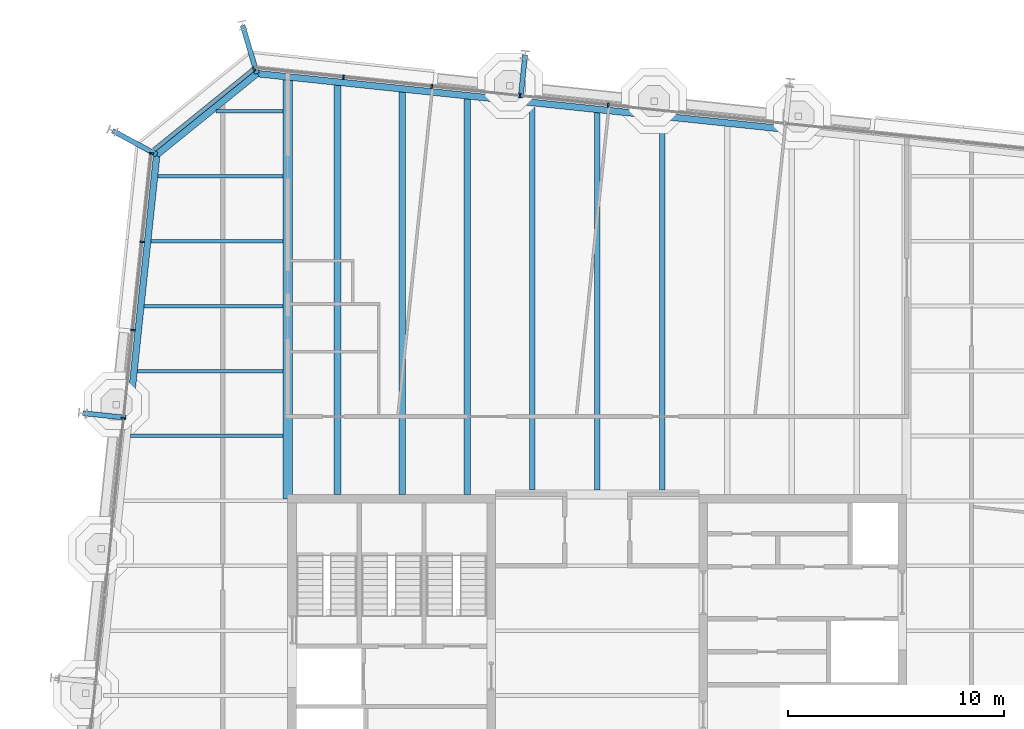
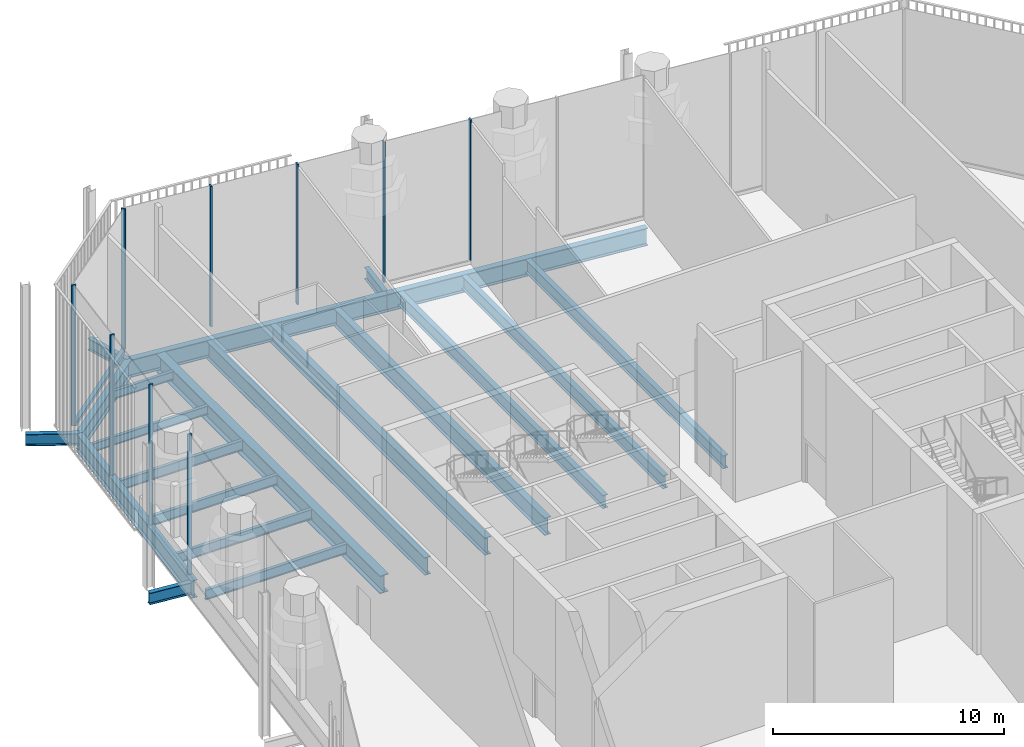
# One storey, part 6 of 17: 21 beams, 10 members, 3 elements without a shape of their own.
"""IFC4 building model written with IfcOpenShell, lengths in metres."""

from ifc_helpers import new_model, si_unit, direction, frame, origin, origin_2d, place, context, subcontext, project, spatial, rectangle, i_section, extrude, material, layer, layer_set, material_profile, profile_set, type_object, element, aggregate, save


model = new_model("IFC4")

# Units and contexts
model_context = context("Model", 3, precision=1e-05, world=origin(), true_north=direction((0.0, 1.0)))
body_context = subcontext(model_context, "Body", "Model", "MODEL_VIEW")
ifc_project = project(units=[si_unit("LENGTHUNIT", "METRE"), si_unit("AREAUNIT", "SQUARE_METRE"), si_unit("VOLUMEUNIT", "CUBIC_METRE"), si_unit("PLANEANGLEUNIT", "RADIAN"), si_unit("MASSUNIT", "GRAM", prefix="KILO")], contexts=[model_context])

# Site, building, storey
site_placement = place(None, origin())
site = spatial("IfcSite", under=ifc_project, at=site_placement, CompositionType="ELEMENT")
building_placement = place(site_placement, origin())
building = spatial("IfcBuilding", under=site, at=building_placement, Name="Millrace Tower", CompositionType="ELEMENT")
storey_placement = place(building_placement, frame((0.0, 0.0, 311.10009765625)))
storey = spatial("IfcBuildingStorey", under=building, at=storey_placement, Name="L72", CompositionType="ELEMENT", Elevation=311.10009765625)

# Curtain wall, members
ifc_material_1 = material(Name="Aluminium and glass", Category="aluminium")
ifc_layer = layer(ifc_material_1, 0.199951171875)
ifc_layer_set = layer_set([ifc_layer], Name="Aluminium and glass")
curtain_wall_type = type_object("IfcCurtainWallType", Name="CW-4 sky garden winter glazing", PredefinedType="NOTDEFINED", material=ifc_layer_set)
placement = place(storey_placement, origin())
curtain_wall_1 = element("IfcCurtainWall", 1, at=placement, inside=storey, type_object=curtain_wall_type, Name="Curtain wall E-F06 L72", PredefinedType="NOTDEFINED")
ifc_material_2 = material(Name="Aluminium", Category="aluminium")
ifc_material_profile_1 = material_profile(ifc_material_2, rectangle(XDim=0.080078125, YDim=0.199951171875, at=origin_2d()))
ifc_profile_set_1 = profile_set([ifc_material_profile_1], Name="Aluminium")
member_type_1 = type_object("IfcMemberType", Name="CW-4 sky garden winter glazing mullion", PredefinedType="MULLION", material=ifc_profile_set_1)
member_1_placement = place(storey_placement, frame((0.510009765625, 27.293212890625, 0.179931640625), z_axis=(0.0, 0.0, 1.0), x_axis=(-0.994521896217, 0.104528455196, 0.0)))
member_1 = element("IfcMember", 2, at=member_1_placement, type_object=member_type_1, Name="CW4 mullion E-F06.6", PredefinedType="MULLION", context=body_context, shape_type="SweptSolid", body=[
    extrude(rectangle(XDim=0.080078125, YDim=0.199951171875, at=origin_2d()), origin(), (0.0, 0.0, 1.0), 7.419921875),
])
member_2_placement = place(storey_placement, frame((-3.567626953125, 27.721923828125, 0.179931640625), z_axis=(0.0, 0.0, 1.0), x_axis=(-0.994521896217, 0.104528455196, 0.0)))
member_2 = element("IfcMember", 3, at=member_2_placement, type_object=member_type_1, Name="CW4 mullion E-F06.7", PredefinedType="MULLION", context=body_context, shape_type="SweptSolid", body=[
    extrude(rectangle(XDim=0.080078125, YDim=0.199951171875, at=origin_2d()), origin(), (0.0, 0.0, 1.0), 7.419921875),
])
member_3_placement = place(storey_placement, frame((-7.645263671875, 28.150390625, 0.179931640625), z_axis=(0.0, 0.0, 1.0), x_axis=(-0.994521896217, 0.104528455196, 0.0)))
member_3 = element("IfcMember", 4, at=member_3_placement, type_object=member_type_1, Name="CW4 mullion E-F06.8", PredefinedType="MULLION", context=body_context, shape_type="SweptSolid", body=[
    extrude(rectangle(XDim=0.080078125, YDim=0.199951171875, at=origin_2d()), origin(), (0.0, 0.0, 1.0), 7.419921875),
])
member_4_placement = place(storey_placement, frame((-11.72265625, 28.5791015625, 0.179931640625), z_axis=(0.0, 0.0, 1.0), x_axis=(-0.994521896217, 0.104528455196, 0.0)))
member_4 = element("IfcMember", 5, at=member_4_placement, type_object=member_type_1, Name="CW4 mullion E-F06.9", PredefinedType="MULLION", context=body_context, shape_type="SweptSolid", body=[
    extrude(rectangle(XDim=0.080078125, YDim=0.199951171875, at=origin_2d()), origin(), (0.0, 0.0, 1.0), 7.419921875),
])
aggregate(curtain_wall_1, [member_1, member_2, member_3, member_4])

# Curtain wall, member
curtain_wall_2 = element("IfcCurtainWall", 6, at=placement, inside=storey, type_object=curtain_wall_type, Name="Curtain wall E-F07 L72", PredefinedType="NOTDEFINED")
member_5_placement = place(storey_placement, frame((-15.864990234375, 28.95654296875, 0.179931640625), z_axis=(0.0, 0.0, 1.0), x_axis=(-0.777146052237, -0.629320278945, 0.0)))
member_5 = element("IfcMember", 7, at=member_5_placement, type_object=member_type_1, Name="CW4 mullion E-F07.1", PredefinedType="MULLION", context=body_context, shape_type="SweptSolid", body=[
    extrude(rectangle(XDim=0.080078125, YDim=0.199951171875, at=origin_2d()), origin(), (0.0, 0.0, 1.0), 7.419921875),
])

# Curtain wall, members
curtain_wall_3 = element("IfcCurtainWall", 8, at=placement, inside=storey, type_object=curtain_wall_type, Name="Curtain wall E-F08 L72", PredefinedType="NOTDEFINED")
member_6_placement = place(storey_placement, frame((-20.600341796875, 25.047607421875, 0.179931640625), z_axis=(0.0, 0.0, 1.0), x_axis=(-0.104528455196, -0.994521896217, 0.0)))
member_6 = element("IfcMember", 9, at=member_6_placement, type_object=member_type_1, Name="CW4 mullion E-F08.1", PredefinedType="MULLION", context=body_context, shape_type="SweptSolid", body=[
    extrude(rectangle(XDim=0.080078125, YDim=0.199951171875, at=origin_2d()), origin(), (0.0, 0.0, 1.0), 7.419921875),
])
member_7_placement = place(storey_placement, frame((-21.029052734375, 20.969970703125, 0.179931640625), z_axis=(0.0, 0.0, 1.0), x_axis=(-0.104528455196, -0.994521896217, 0.0)))
member_7 = element("IfcMember", 10, at=member_7_placement, type_object=member_type_1, Name="CW4 mullion E-F08.2", PredefinedType="MULLION", context=body_context, shape_type="SweptSolid", body=[
    extrude(rectangle(XDim=0.080078125, YDim=0.199951171875, at=origin_2d()), origin(), (0.0, 0.0, 1.0), 7.419921875),
])
member_8_placement = place(storey_placement, frame((-21.45751953125, 16.892578125, 0.179931640625), z_axis=(0.0, 0.0, 1.0), x_axis=(-0.104528455196, -0.994521896217, 0.0)))
member_8 = element("IfcMember", 11, at=member_8_placement, type_object=member_type_1, Name="CW4 mullion E-F08.3", PredefinedType="MULLION", context=body_context, shape_type="SweptSolid", body=[
    extrude(rectangle(XDim=0.080078125, YDim=0.199951171875, at=origin_2d()), origin(), (0.0, 0.0, 1.0), 7.419921875),
])
member_9_placement = place(storey_placement, frame((-21.88623046875, 12.81494140625, 0.179931640625), z_axis=(0.0, 0.0, 1.0), x_axis=(-0.104528455196, -0.994521896217, 0.0)))
member_9 = element("IfcMember", 12, at=member_9_placement, type_object=member_type_1, Name="CW4 mullion E-F08.4", PredefinedType="MULLION", context=body_context, shape_type="SweptSolid", body=[
    extrude(rectangle(XDim=0.080078125, YDim=0.199951171875, at=origin_2d()), origin(), (0.0, 0.0, 1.0), 7.419921875),
])
aggregate(curtain_wall_3, [member_6, member_7, member_8, member_9])

# Member
ifc_material_3 = material(Name="Aluminium", Category="aluminium")
ifc_material_profile_2 = material_profile(ifc_material_3, rectangle(XDim=0.199951171875, YDim=0.179931640625, at=origin_2d()))
ifc_profile_set_2 = profile_set([ifc_material_profile_2], Name="Aluminium")
member_type_2 = type_object("IfcMemberType", Name="CW-4 sky garden winter glazing transom", PredefinedType="USERDEFINED", material=ifc_profile_set_2)
member_10_placement = place(storey_placement, frame((-15.91162109375, 28.918701171875, 0.08984375), z_axis=(-0.777128847746, -0.629341524136, 0.0), x_axis=(0.629341524136, -0.777128847746, 0.0)))
member_10 = element("IfcMember", 13, at=member_10_placement, type_object=member_type_2, Name="CW4 transom E-F07.1", ObjectType="TRANSOM", PredefinedType="USERDEFINED", context=body_context, shape_type="SweptSolid", body=[
    extrude(rectangle(XDim=0.199951171875, YDim=0.179931640625, at=origin_2d()), origin(), (0.0, 0.0, 1.0), 5.881103515625),
])

aggregate(curtain_wall_2, [member_5, member_10])

# Beams
ifc_material_4 = material(Name="Steel ASTM A992 Grade 50", Category="steel")
ifc_material_profile_3 = material_profile(ifc_material_4, i_section(OverallWidth=0.15234375, OverallDepth=0.449462890625, WebThickness=0.007568359375, FlangeThickness=0.0107421875, FilletRadius=0.01025390625, at=origin_2d()))
ifc_profile_set_3 = profile_set([ifc_material_profile_3], Name="Steel ASTM A992 Grade 50")
beam_type_1 = type_object("IfcBeamType", Name="Floor beam W18x35", PredefinedType="JOIST", material=ifc_profile_set_3)
beam_1_placement = place(storey_placement, frame((-20.301025390625, 24.0, -0.474853515625), z_axis=(1.0, 0.0, 0.0), x_axis=(0.0, 1.0, 0.0)))
element("IfcBeam", 14, at=beam_1_placement, inside=storey, type_object=beam_type_1, Name="BM-E-L72-S1-S033", PredefinedType="JOIST", context=body_context, shape_type="SweptSolid", body=[
    extrude(i_section(OverallWidth=0.15234375, OverallDepth=0.449462890625, WebThickness=0.007568359375, FlangeThickness=0.0107421875, FilletRadius=0.01025390625, at=origin_2d()), origin(), (0.0, 0.0, 1.0), 5.79150390625),
])
beam_2_placement = place(storey_placement, frame((-17.609619140625, 27.0, -0.474853515625), z_axis=(1.0, 0.0, 0.0), x_axis=(0.0, 1.0, 0.0)))
element("IfcBeam", 15, at=beam_2_placement, inside=storey, type_object=beam_type_1, Name="BM-E-L72-S1-S035", PredefinedType="JOIST", context=body_context, shape_type="SweptSolid", body=[
    extrude(i_section(OverallWidth=0.15234375, OverallDepth=0.449462890625, WebThickness=0.007568359375, FlangeThickness=0.0107421875, FilletRadius=0.01025390625, at=origin_2d()), origin(), (0.0, 0.0, 1.0), 3.10009765625),
])
ifc_material_5 = material(Name="Steel ASTM A992 Grade 50", Category="steel")
ifc_material_profile_4 = material_profile(ifc_material_5, i_section(OverallWidth=0.1650390625, OverallDepth=0.52587890625, WebThickness=0.0087890625, FlangeThickness=0.011474609375, FilletRadius=0.0126953125, at=origin_2d()))
ifc_profile_set_4 = profile_set([ifc_material_profile_4], Name="Steel ASTM A992 Grade 50")
beam_type_2 = type_object("IfcBeamType", Name="Floor beam W21x44", PredefinedType="JOIST", material=ifc_profile_set_4)
beam_3_placement = place(storey_placement, frame((-21.562255859375, 12.0, -0.512939453125), z_axis=(1.0, 0.0, 0.0), x_axis=(0.0, 1.0, 0.0)))
element("IfcBeam", 16, at=beam_3_placement, inside=storey, type_object=beam_type_2, Name="BM-E-L72-S1-S025", PredefinedType="JOIST", context=body_context, shape_type="SweptSolid", body=[
    extrude(i_section(OverallWidth=0.1650390625, OverallDepth=0.52587890625, WebThickness=0.0087890625, FlangeThickness=0.011474609375, FilletRadius=0.0126953125, at=origin_2d()), origin(), (0.0, 0.0, 1.0), 7.052734375),
])
beam_4_placement = place(storey_placement, frame((-21.246826171875, 15.0, -0.512939453125), z_axis=(1.0, 0.0, 0.0), x_axis=(0.0, 1.0, 0.0)))
element("IfcBeam", 17, at=beam_4_placement, inside=storey, type_object=beam_type_2, Name="BM-E-L72-S1-S027", PredefinedType="JOIST", context=body_context, shape_type="SweptSolid", body=[
    extrude(i_section(OverallWidth=0.1650390625, OverallDepth=0.52587890625, WebThickness=0.0087890625, FlangeThickness=0.011474609375, FilletRadius=0.0126953125, at=origin_2d()), origin(), (0.0, 0.0, 1.0), 6.7373046875),
])
beam_5_placement = place(storey_placement, frame((-20.931640625, 18.0, -0.512939453125), z_axis=(1.0, 0.0, 0.0), x_axis=(0.0, 1.0, 0.0)))
element("IfcBeam", 18, at=beam_5_placement, inside=storey, type_object=beam_type_2, Name="BM-E-L72-S1-S029", PredefinedType="JOIST", context=body_context, shape_type="SweptSolid", body=[
    extrude(i_section(OverallWidth=0.1650390625, OverallDepth=0.52587890625, WebThickness=0.0087890625, FlangeThickness=0.011474609375, FilletRadius=0.0126953125, at=origin_2d()), origin(), (0.0, 0.0, 1.0), 6.422119140625),
])
beam_6_placement = place(storey_placement, frame((-20.6162109375, 21.0, -0.512939453125), z_axis=(1.0, 0.0, 0.0), x_axis=(0.0, 1.0, 0.0)))
element("IfcBeam", 19, at=beam_6_placement, inside=storey, type_object=beam_type_2, Name="BM-E-L72-S1-S031", PredefinedType="JOIST", context=body_context, shape_type="SweptSolid", body=[
    extrude(i_section(OverallWidth=0.1650390625, OverallDepth=0.52587890625, WebThickness=0.0087890625, FlangeThickness=0.011474609375, FilletRadius=0.0126953125, at=origin_2d()), origin(), (0.0, 0.0, 1.0), 6.106689453125),
])
ifc_material_6 = material(Name="Steel ASTM A992 Grade 50", Category="steel")
ifc_material_profile_5 = material_profile(ifc_material_6, i_section(OverallWidth=0.256591796875, OverallDepth=0.693359375, WebThickness=0.014404296875, FlangeThickness=0.023681640625, FilletRadius=0.01513671875, at=origin_2d()))
ifc_profile_set_5 = profile_set([ifc_material_profile_5], Name="Steel ASTM A992 Grade 50")
beam_type_3 = type_object("IfcBeamType", Name="Floor beam W27x114", PredefinedType="JOIST", material=ifc_profile_set_5)
beam_7_placement = place(storey_placement, frame((-3.0, 9.509521484375, -0.596923828125), z_axis=(0.0, 1.0, 0.0), x_axis=(-1.0, 0.0, 0.0)))
element("IfcBeam", 20, at=beam_7_placement, inside=storey, type_object=beam_type_3, Name="BM-E-L72-S1-S042", PredefinedType="JOIST", context=body_context, shape_type="SweptSolid", body=[
    extrude(i_section(OverallWidth=0.256591796875, OverallDepth=0.693359375, WebThickness=0.014404296875, FlangeThickness=0.023681640625, FilletRadius=0.01513671875, at=origin_2d()), origin(), (0.0, 0.0, 1.0), 17.7431640625),
])
beam_8_placement = place(storey_placement, frame((0.0, 9.509521484375, -0.596923828125), z_axis=(0.0, 1.0, 0.0), x_axis=(-1.0, 0.0, 0.0)))
element("IfcBeam", 21, at=beam_8_placement, inside=storey, type_object=beam_type_3, Name="BM-E-L72-S1-S044", PredefinedType="JOIST", context=body_context, shape_type="SweptSolid", body=[
    extrude(i_section(OverallWidth=0.256591796875, OverallDepth=0.693359375, WebThickness=0.014404296875, FlangeThickness=0.023681640625, FilletRadius=0.01513671875, at=origin_2d()), origin(), (0.0, 0.0, 1.0), 17.427734375),
])
beam_9_placement = place(storey_placement, frame((3.0, 9.509521484375, -0.596923828125), z_axis=(0.0, 1.0, 0.0), x_axis=(-1.0, 0.0, 0.0)))
element("IfcBeam", 22, at=beam_9_placement, inside=storey, type_object=beam_type_3, Name="BM-E-L72-S1-S046", PredefinedType="JOIST", context=body_context, shape_type="SweptSolid", body=[
    extrude(i_section(OverallWidth=0.256591796875, OverallDepth=0.693359375, WebThickness=0.014404296875, FlangeThickness=0.023681640625, FilletRadius=0.01513671875, at=origin_2d()), origin(), (0.0, 0.0, 1.0), 17.112548828125),
])
ifc_material_7 = material(Name="Steel ASTM A992 Grade 50", Category="steel")
ifc_material_profile_6 = material_profile(ifc_material_7, i_section(OverallWidth=0.307373046875, OverallDepth=0.927001953125, WebThickness=0.01953125, FlangeThickness=0.031982421875, FilletRadius=0.01904296875, at=origin_2d()))
ifc_profile_set_6 = profile_set([ifc_material_profile_6], Name="Steel ASTM A992 Grade 50")
beam_type_4 = type_object("IfcBeamType", Name="Floor beam W36x194", PredefinedType="JOIST", material=ifc_profile_set_6)
beam_10_placement = place(storey_placement, frame((-12.0, 9.300048828125, -0.713623046875), z_axis=(0.0, 1.0, 0.0), x_axis=(-1.0, 0.0, 0.0)))
element("IfcBeam", 23, at=beam_10_placement, inside=storey, type_object=beam_type_4, Name="BM-E-L72-S1-S036", PredefinedType="JOIST", context=body_context, shape_type="SweptSolid", body=[
    extrude(i_section(OverallWidth=0.307373046875, OverallDepth=0.927001953125, WebThickness=0.01953125, FlangeThickness=0.031982421875, FilletRadius=0.01904296875, at=origin_2d()), origin(), (0.0, 0.0, 1.0), 18.8984375),
])
beam_11_placement = place(storey_placement, frame((-9.0, 9.300048828125, -0.713623046875), z_axis=(0.0, 1.0, 0.0), x_axis=(-1.0, 0.0, 0.0)))
element("IfcBeam", 24, at=beam_11_placement, inside=storey, type_object=beam_type_4, Name="BM-E-L72-S1-S038", PredefinedType="JOIST", context=body_context, shape_type="SweptSolid", body=[
    extrude(i_section(OverallWidth=0.307373046875, OverallDepth=0.927001953125, WebThickness=0.01953125, FlangeThickness=0.031982421875, FilletRadius=0.01904296875, at=origin_2d()), origin(), (0.0, 0.0, 1.0), 18.583251953125),
])
beam_12_placement = place(storey_placement, frame((-6.0, 9.300048828125, -0.713623046875), z_axis=(0.0, 1.0, 0.0), x_axis=(-1.0, 0.0, 0.0)))
element("IfcBeam", 25, at=beam_12_placement, inside=storey, type_object=beam_type_4, Name="BM-E-L72-S1-S040", PredefinedType="JOIST", context=body_context, shape_type="SweptSolid", body=[
    extrude(i_section(OverallWidth=0.307373046875, OverallDepth=0.927001953125, WebThickness=0.01953125, FlangeThickness=0.031982421875, FilletRadius=0.01904296875, at=origin_2d()), origin(), (0.0, 0.0, 1.0), 18.267822265625),
])
ifc_material_8 = material(Name="Steel ASTM A992 Grade 50", Category="steel")
ifc_material_profile_7 = material_profile(ifc_material_8, i_section(OverallWidth=0.424072265625, OverallDepth=0.947509765625, WebThickness=0.02392578125, FlangeThickness=0.042724609375, FilletRadius=0.024169921875, at=origin_2d()))
ifc_profile_set_7 = profile_set([ifc_material_profile_7], Name="Steel ASTM A992 Grade 50")
beam_type_5 = type_object("IfcBeamType", Name="Girder medium span W36x302", PredefinedType="BEAM", material=ifc_profile_set_7)
beam_13_placement = place(storey_placement, frame((-14.300048828125, 9.083984375, -0.723876953125), z_axis=(0.0, 1.0, 0.0), x_axis=(-1.0, 0.0, 0.0)))
element("IfcBeam", 26, at=beam_13_placement, inside=storey, type_object=beam_type_5, Name="BM-E-L72-S1-G054", PredefinedType="BEAM", context=body_context, shape_type="SweptSolid", body=[
    extrude(i_section(OverallWidth=0.424072265625, OverallDepth=0.947509765625, WebThickness=0.02392578125, FlangeThickness=0.042724609375, FilletRadius=0.024169921875, at=origin_2d()), origin(), (0.0, 0.0, 1.0), 19.356201171875),
])
ifc_material_9 = material(Name="Steel ASTM A992 Grade 50", Category="steel")
ifc_material_profile_8 = material_profile(ifc_material_9, i_section(OverallWidth=0.23046875, OverallDepth=0.6171875, WebThickness=0.01318359375, FlangeThickness=0.022216796875, FilletRadius=0.012939453125, at=origin_2d()))
ifc_profile_set_8 = profile_set([ifc_material_profile_8], Name="Steel ASTM A992 Grade 50")
beam_type_6 = type_object("IfcBeamType", Name="Link beam W24x94", PredefinedType="BEAM", material=ifc_profile_set_8)
beam_14_placement = place(storey_placement, frame((-21.782470703125, 12.84423828125, -0.55859375), z_axis=(-0.994512808172, 0.104614886044, 0.0), x_axis=(-0.104614886044, -0.994512808172, 0.0)))
element("IfcBeam", 27, at=beam_14_placement, inside=storey, type_object=beam_type_6, Name="LNK-E-L72-S1-03", PredefinedType="BEAM", context=body_context, shape_type="SweptSolid", body=[
    extrude(i_section(OverallWidth=0.23046875, OverallDepth=0.6171875, WebThickness=0.01318359375, FlangeThickness=0.022216796875, FilletRadius=0.012939453125, at=origin_2d()), origin(), (0.0, 0.0, 1.0), 2.0),
])
for number, where, z_axis, x_axis, name in (
    (28, (-20.3505859375, 24.99755859375, -0.55859375), (-0.87881453358, 0.477163510307, 0.0), (-0.477163510307, -0.87881453358, 0.0), "LNK-E-L72-S1-04"),
    (29, (-15.7236328125, 28.744384765625, -0.55859375), (-0.284031275065, 0.958815015936, 0.0), (-0.958815015936, -0.284031275065, 0.0), "LNK-E-L72-S1-05"),
):
    element("IfcBeam", number, at=place(storey_placement, frame(where, z_axis=z_axis, x_axis=x_axis)), inside=storey, type_object=beam_type_6, Name=name, PredefinedType="BEAM", context=body_context, shape_type="SweptSolid", body=[
        extrude(i_section(OverallWidth=0.23046875, OverallDepth=0.6171875, WebThickness=0.01318359375, FlangeThickness=0.022216796875, FilletRadius=0.012939453125, at=origin_2d()), origin(), (0.0, 0.0, 1.0), 2.3310546875),
    ])
beam_15_placement = place(storey_placement, frame((-3.538330078125, 27.6181640625, -0.55859375), z_axis=(0.104494148666, 0.99452550138, 0.0), x_axis=(-0.99452550138, 0.104494148666, 0.0)))
element("IfcBeam", 30, at=beam_15_placement, inside=storey, type_object=beam_type_6, Name="LNK-E-L72-S1-06", PredefinedType="BEAM", context=body_context, shape_type="SweptSolid", body=[
    extrude(i_section(OverallWidth=0.23046875, OverallDepth=0.6171875, WebThickness=0.01318359375, FlangeThickness=0.022216796875, FilletRadius=0.012939453125, at=origin_2d()), origin(), (0.0, 0.0, 1.0), 2.0),
])
ifc_material_10 = material(Name="Steel ASTM A992 Grade 50", Category="steel")
ifc_material_profile_9 = material_profile(ifc_material_10, i_section(OverallWidth=0.307373046875, OverallDepth=0.927001953125, WebThickness=0.01953125, FlangeThickness=0.031982421875, FilletRadius=0.01904296875, at=origin_2d()))
ifc_profile_set_9 = profile_set([ifc_material_profile_9], Name="Steel ASTM A992 Grade 50")
beam_type_7 = type_object("IfcBeamType", Name="Ring beam medium span W36x194", PredefinedType="SPANDREL", material=ifc_profile_set_9)
for number, where, z_axis, x_axis, name in (
    (31, (-21.629638671875, 12.828369140625, -0.713623046875), (0.104530030035, 0.994521730693, 0.0), (-0.994521730693, 0.104530030035, 0.0), "RNG-E-L72-S1-03"),
    (32, (-15.7236328125, 28.744384765625, -0.713623046875), (0.994521730693, -0.104530030035, 0.0), (0.104530030035, 0.994521730693, 0.0), "RNG-E-L72-S1-05"),
):
    element("IfcBeam", number, at=place(storey_placement, frame(where, z_axis=z_axis, x_axis=x_axis)), inside=storey, type_object=beam_type_7, Name=name, PredefinedType="SPANDREL", context=body_context, shape_type="SweptSolid", body=[
        extrude(i_section(OverallWidth=0.307373046875, OverallDepth=0.927001953125, WebThickness=0.01953125, FlangeThickness=0.031982421875, FilletRadius=0.01904296875, at=origin_2d()), origin(), (0.0, 0.0, 1.0), 12.236328125),
    ])
beam_16_placement = place(storey_placement, frame((-3.554443359375, 27.46533203125, -0.713623046875), z_axis=(0.994522406476, -0.104523600289, 0.0), x_axis=(0.104523600289, 0.994522406476, 0.0)))
element("IfcBeam", 33, at=beam_16_placement, inside=storey, type_object=beam_type_7, Name="RNG-E-L72-S1-06", PredefinedType="SPANDREL", context=body_context, shape_type="SweptSolid", body=[
    extrude(i_section(OverallWidth=0.307373046875, OverallDepth=0.927001953125, WebThickness=0.01953125, FlangeThickness=0.031982421875, FilletRadius=0.01904296875, at=origin_2d()), origin(), (0.0, 0.0, 1.0), 12.300048828125),
])
ifc_material_11 = material(Name="Steel ASTM A992 Grade 50", Category="steel")
ifc_material_profile_10 = material_profile(ifc_material_11, i_section(OverallWidth=0.307373046875, OverallDepth=0.927001953125, WebThickness=0.01953125, FlangeThickness=0.031982421875, FilletRadius=0.01904296875, at=origin_2d()))
ifc_profile_set_10 = profile_set([ifc_material_profile_10], Name="Steel ASTM A992 Grade 50")
beam_type_8 = type_object("IfcBeamType", Name="Ring beam short span W36x194", PredefinedType="SPANDREL", material=ifc_profile_set_10)
beam_17_placement = place(storey_placement, frame((-20.3505859375, 24.99755859375, -0.713623046875), z_axis=(0.777146502883, 0.629319722443, 0.0), x_axis=(-0.629319722443, 0.777146502883, 0.0)))
element("IfcBeam", 34, at=beam_17_placement, inside=storey, type_object=beam_type_8, Name="RNG-E-L72-S1-04", PredefinedType="SPANDREL", context=body_context, shape_type="SweptSolid", body=[
    extrude(i_section(OverallWidth=0.307373046875, OverallDepth=0.927001953125, WebThickness=0.01953125, FlangeThickness=0.031982421875, FilletRadius=0.01904296875, at=origin_2d()), origin(), (0.0, 0.0, 1.0), 5.953857421875),
])

save(model, "model.ifc")
